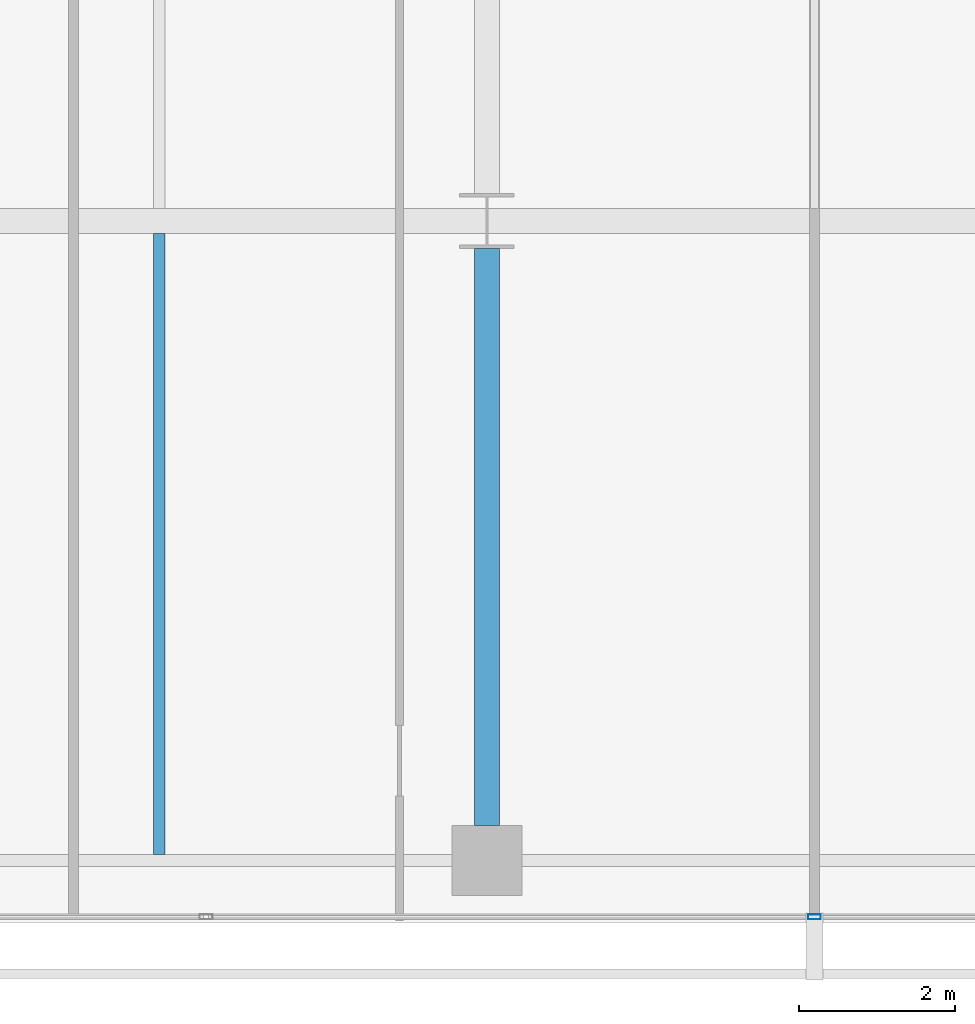
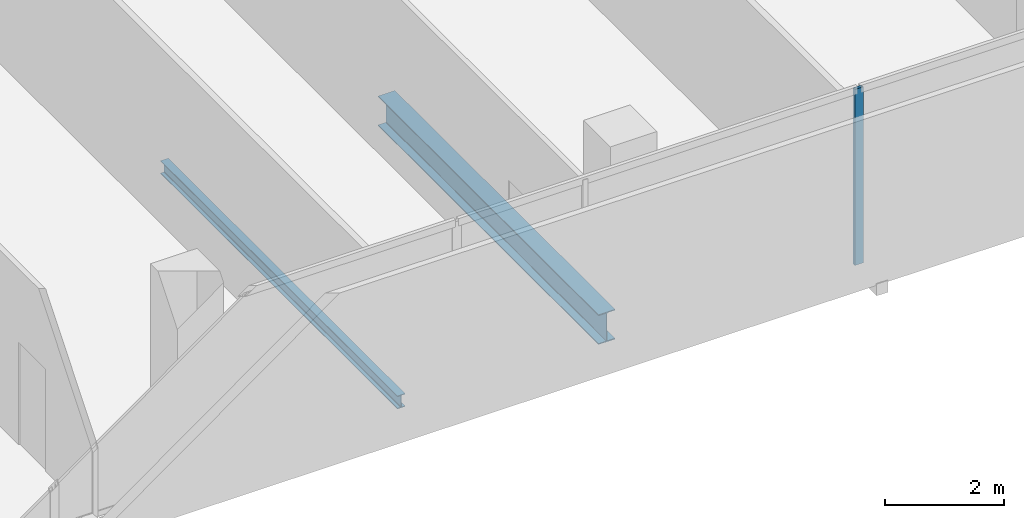
# One storey, part 8 of 40: 2 beams, 1 member, 1 element without a shape of its own.
"""IFC4 building model written with IfcOpenShell, lengths in metres."""

from ifc_helpers import new_model, si_unit, direction, frame, origin, origin_2d, place, context, subcontext, project, spatial, hollow_rectangle, i_section, extrude, material, layer, layer_set, material_profile, profile_set, type_object, element, aggregate, save


model = new_model("IFC4")

# Units and contexts
model_context = context("Model", 3, precision=1e-05, world=origin(), true_north=direction((0.0, 1.0)))
body_context = subcontext(model_context, "Body", "Model", "MODEL_VIEW")
ifc_project = project(units=[si_unit("LENGTHUNIT", "METRE"), si_unit("AREAUNIT", "SQUARE_METRE"), si_unit("VOLUMEUNIT", "CUBIC_METRE"), si_unit("PLANEANGLEUNIT", "RADIAN"), si_unit("MASSUNIT", "GRAM", prefix="KILO")], contexts=[model_context])

# Site, building, storey
site_placement = place(None, origin())
site = spatial("IfcSite", under=ifc_project, at=site_placement, CompositionType="ELEMENT")
building_placement = place(site_placement, origin())
building = spatial("IfcBuilding", under=site, at=building_placement, Name="Maruvema Waterfront Hotel and Observation Tower", CompositionType="ELEMENT")
storey_placement = place(building_placement, frame((0.0, 0.0, 107.800048828125)))
storey = spatial("IfcBuildingStorey", under=building, at=storey_placement, Name="L26", CompositionType="ELEMENT", Elevation=107.800048828125)

# Curtain wall, member
ifc_material_1 = material(Name="Anodised bronze aluminium and solar-control low-E IGU", Category="aluminium")
ifc_layer = layer(ifc_material_1, 0.159912109375, Name="Zone 1 Bronze Inner Thermal Curtain Wall System CW-02")
ifc_layer_set = layer_set([ifc_layer], Name="Anodised bronze aluminium and solar-control low-E IGU")
curtain_wall_type = type_object("IfcCurtainWallType", Name="Zone 1 Bronze Inner Thermal Curtain Wall System CW-02", PredefinedType="USERDEFINED", material=ifc_layer_set)
curtain_wall_placement = place(storey_placement, origin())
curtain_wall = element("IfcCurtainWall", 1, at=curtain_wall_placement, inside=storey, type_object=curtain_wall_type, Name="L26 Curtain Wall CW-L26-S", ObjectType="UNITISED CURTAIN WALL", PredefinedType="USERDEFINED")
ifc_material_2 = material(Name="Anodised architectural bronze aluminium", Category="aluminium")
ifc_material_profile_1 = material_profile(ifc_material_2, hollow_rectangle(XDim=0.06494140625, YDim=0.1650390625, WallThickness=0.00390625, at=origin_2d()), Name="ALU-M65x165")
ifc_profile_set_1 = profile_set([ifc_material_profile_1], Name="Anodised architectural bronze aluminium")
member_type = type_object("IfcMemberType", Name="Curtain Wall Primary Mullion ALU-M65x165", PredefinedType="MULLION", material=ifc_profile_set_1)
member_placement = place(storey_placement, frame((37.800048828125, 0.080078125, 0.0), z_axis=(0.0, 0.0, 1.0), x_axis=(0.0, 1.0, 0.0)))
member = element("IfcMember", 2, at=member_placement, type_object=member_type, Name="CW-02 mullion 4", PredefinedType="MULLION", context=body_context, shape_type="SweptSolid", body=[
    extrude(hollow_rectangle(XDim=0.06494140625, YDim=0.1650390625, WallThickness=0.00390625, at=origin_2d()), origin(), (0.0, 0.0, 1.0), 3.60986328125),
])
aggregate(curtain_wall, [member])

# Beams
ifc_material_3 = material(Name="Steel ASTM A572 Grade 50", Category="steel")
ifc_material_profile_2 = material_profile(ifc_material_3, i_section(OverallWidth=0.323974609375, OverallDepth=0.611083984375, WebThickness=0.0126953125, FlangeThickness=0.01904296875, FilletRadius=0.01806640625, at=origin_2d()), Name="W610x155.0")
ifc_profile_set_2 = profile_set([ifc_material_profile_2], Name="Steel ASTM A572 Grade 50")
beam_type_1 = type_object("IfcBeamType", Name="Primary Floor Girder W610x155.0", PredefinedType="BEAM", material=ifc_profile_set_2)
beam_1_placement = place(storey_placement, frame((33.60009765625, 1.25, -0.545654296875), z_axis=(0.0, 1.0, 0.0), x_axis=(-1.0, 0.0, 0.0)))
element("IfcBeam", 3, at=beam_1_placement, inside=storey, type_object=beam_type_1, Name="L26 Floor Girder NS-16", PredefinedType="BEAM", context=body_context, shape_type="SweptSolid", body=[
    extrude(i_section(OverallWidth=0.323974609375, OverallDepth=0.611083984375, WebThickness=0.0126953125, FlangeThickness=0.01904296875, FilletRadius=0.01806640625, at=origin_2d()), origin(), (0.0, 0.0, 1.0), 7.39990234375),
])
ifc_material_4 = material(Name="Steel ASTM A572 Grade 50", Category="steel")
ifc_material_profile_3 = material_profile(ifc_material_4, i_section(OverallWidth=0.14794921875, OverallDepth=0.26611328125, WebThickness=0.007568359375, FlangeThickness=0.012939453125, FilletRadius=0.012939453125, at=origin_2d()), Name="W250x44.8")
ifc_profile_set_3 = profile_set([ifc_material_profile_3], Name="Steel ASTM A572 Grade 50")
beam_type_2 = type_object("IfcBeamType", Name="Secondary Floor Joist W250x44.8", PredefinedType="JOIST", material=ifc_profile_set_3)
beam_2_placement = place(storey_placement, frame((29.39990234375, 0.87646484375, -0.373046875), z_axis=(0.0, 1.0, 0.0), x_axis=(-1.0, 0.0, 0.0)))
element("IfcBeam", 4, at=beam_2_placement, inside=storey, type_object=beam_type_2, Name="L26 Secondary Floor Joist JS-10", PredefinedType="JOIST", context=body_context, shape_type="SweptSolid", body=[
    extrude(i_section(OverallWidth=0.14794921875, OverallDepth=0.26611328125, WebThickness=0.007568359375, FlangeThickness=0.012939453125, FilletRadius=0.012939453125, at=origin_2d()), origin(), (0.0, 0.0, 1.0), 7.96142578125),
])

save(model, "model.ifc")
